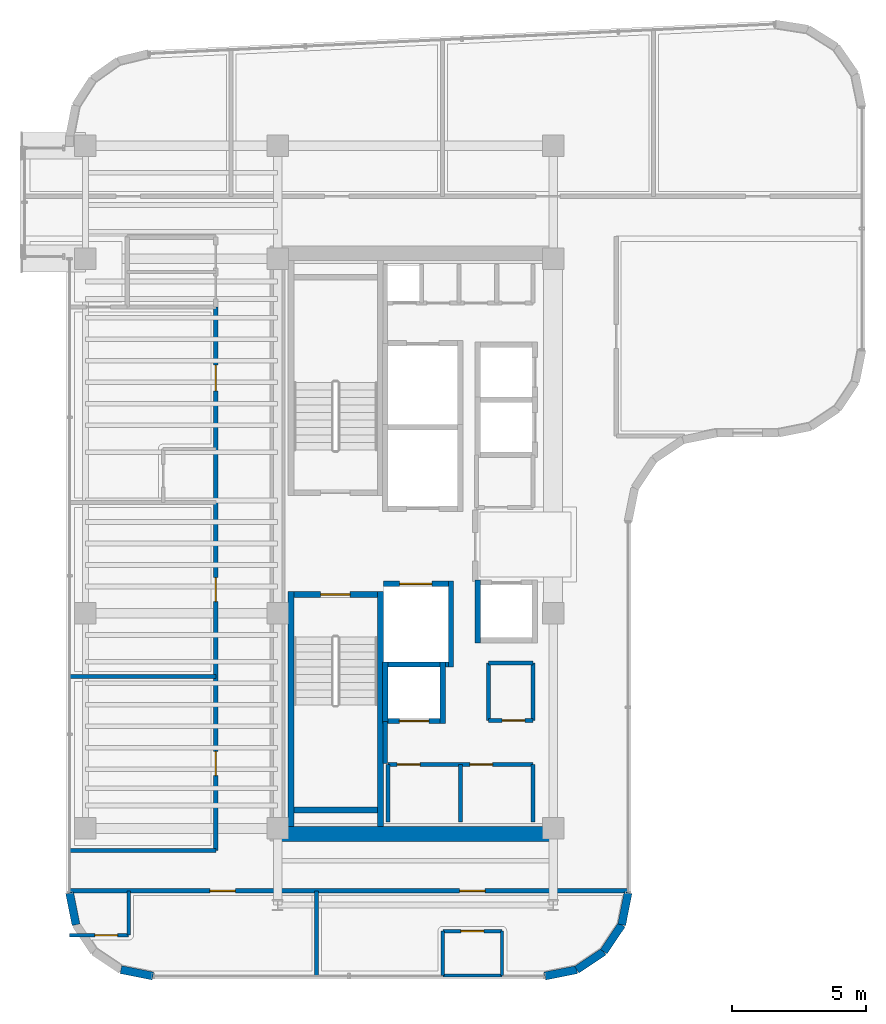
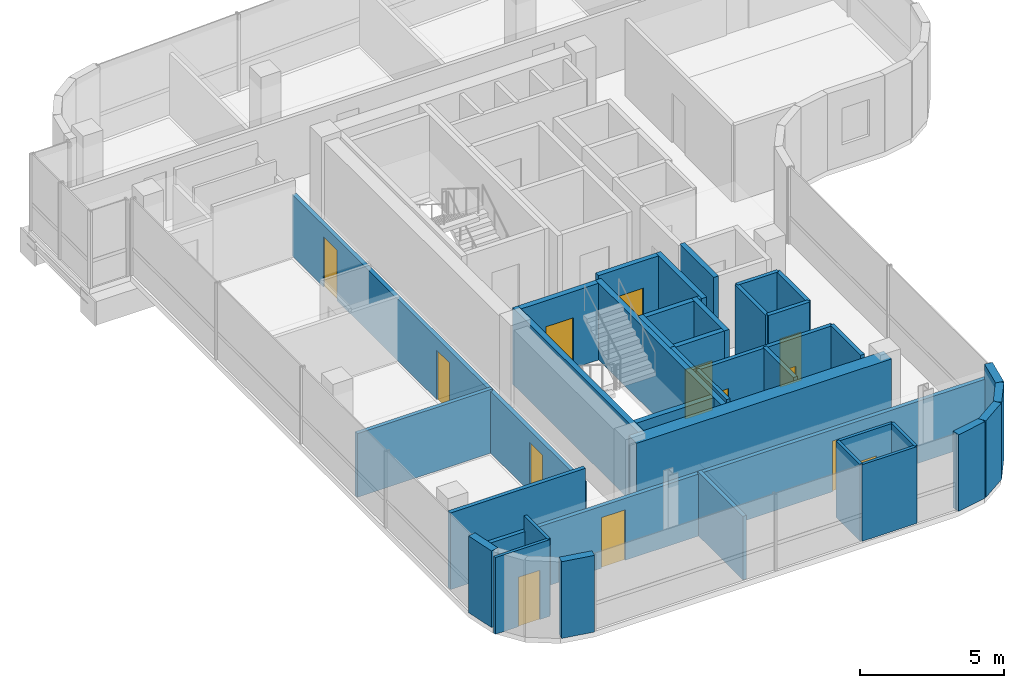
# One storey, part 16 of 21: 38 walls, 13 doors, 13 openings.
"""IFC4 building model written with IfcOpenShell, lengths in metres."""

from ifc_helpers import new_model, si_unit, direction, frame, frame_2d, origin, place, context, subcontext, project, spatial, rectangle, extrude, material, layer, layer_set, type_object, element, fill, save


model = new_model("IFC4")

# Units and contexts
model_context = context("Model", 3, precision=1e-05, world=origin(), true_north=direction((0.0, 1.0)))
body_context = subcontext(model_context, "Body", "Model", "MODEL_VIEW")
ifc_project = project(units=[si_unit("LENGTHUNIT", "METRE"), si_unit("AREAUNIT", "SQUARE_METRE"), si_unit("VOLUMEUNIT", "CUBIC_METRE"), si_unit("PLANEANGLEUNIT", "RADIAN"), si_unit("MASSUNIT", "GRAM", prefix="KILO")], contexts=[model_context])

# Site, building, storey
site_placement = place(None, origin())
site = spatial("IfcSite", under=ifc_project, at=site_placement, CompositionType="ELEMENT")
building_placement = place(site_placement, origin())
building = spatial("IfcBuilding", under=site, at=building_placement, Name="Valdorenza Pilgrim Sanctuary Tower", CompositionType="ELEMENT")
storey_placement = place(building_placement, frame((0.0, 0.0, 258.0)))
storey = spatial("IfcBuildingStorey", under=building, at=storey_placement, Name="L67", CompositionType="ELEMENT", Elevation=258.0)

# Wall
ifc_material_1 = material(Name="Acoustic twin-stud gypsum partition", Category="gypsum")
ifc_layer_1 = layer(ifc_material_1, 0.159912109375, Name="Acoustic twin-stud gypsum partition")
ifc_layer_set_1 = layer_set([ifc_layer_1], Name="Acoustic twin-stud gypsum partition")
wall_type_1 = type_object("IfcWallType", Name="WAL-COR-160", PredefinedType="PARTITIONING", material=ifc_layer_set_1)
wall_1_placement = place(storey_placement, frame((-18.64990234375, -8.179931640625, 0.0), z_axis=(0.0, 0.0, 1.0), x_axis=(0.0, 1.0, 0.0)))
element("IfcWall", 1, at=wall_1_placement, inside=storey, type_object=wall_type_1, Name="L67 Core A South Lift Hall West Wall", PredefinedType="PARTITIONING", context=body_context, shape_type="SweptSolid", body=[
    extrude(rectangle(XDim=1.559814453125, YDim=0.159912109375, at=frame_2d((0.77978515625, 0.0))), origin(), (0.0, 0.0, 1.0), 3.260009765625),
])

# Wall, openings, doors
wall_2_placement = place(storey_placement, frame((-18.550048828125, -8.219970703125, 0.0), z_axis=(0.0, 0.0, 1.0), x_axis=(1.0, 0.0, 0.0)))
wall_2 = element("IfcWall", 2, at=wall_2_placement, inside=storey, type_object=wall_type_1, Name="L67 Freed Shaft 1 North Wall", PredefinedType="PARTITIONING", context=body_context, shape_type="SweptSolid", body=[
    extrude(rectangle(XDim=5.400146484375, YDim=0.159912109375, at=frame_2d((2.7001953125, 0.0))), origin(), (0.0, 0.0, 1.0), 3.260009765625),
])
opening_1_placement = place(wall_2_placement, frame((0.35009765625, 0.0, 0.0)))
opening_1 = element("IfcOpeningElement", 3, at=opening_1_placement, cuts=wall_2, Name="Opening DR-RS1", PredefinedType="OPENING", context=body_context, shape_type="SweptSolid", body=[
    extrude(rectangle(XDim=0.85009765625, YDim=2.050048828125, at=frame_2d((0.425048828125, 1.02490234375))), frame((0.0, 0.0947265625, 0.0), z_axis=(0.0, -1.0, 0.0), x_axis=(1.0, 0.0, 0.0)), (0.0, 0.0, 1.0), 0.189697265625),
])
opening_2_placement = place(wall_2_placement, frame((3.050048828125, 0.0, 0.0)))
opening_2 = element("IfcOpeningElement", 4, at=opening_2_placement, cuts=wall_2, Name="Opening DR-RS1", PredefinedType="OPENING", context=body_context, shape_type="SweptSolid", body=[
    extrude(rectangle(XDim=0.85009765625, YDim=2.050048828125, at=frame_2d((0.425048828125, 1.02490234375))), frame((0.0, 0.0947265625, 0.0), z_axis=(0.0, -1.0, 0.0), x_axis=(1.0, 0.0, 0.0)), (0.0, 0.0, 1.0), 0.189697265625),
])
ifc_material_2 = material(Name="Painted galvanized steel", Category="steel")
door_type_1 = type_object("IfcDoorType", Name="DR-RSR-850", OperationType="NOTDEFINED", PredefinedType="DOOR", material=ifc_material_2)
door_1_placement = place(opening_1_placement, origin())
door_1 = element("IfcDoor", 5, at=door_1_placement, inside=storey, type_object=door_type_1, Name="L67 Linen Store Door", OperationType="SINGLE_SWING_LEFT", OverallHeight=2.050048828125, OverallWidth=0.85009765625, PredefinedType="DOOR", context=body_context, shape_type="SweptSolid", body=[
    extrude(rectangle(XDim=0.85009765625, YDim=2.050048828125, at=frame_2d((0.425048828125, 1.02490234375))), frame((0.0, 0.02490234375, 0.0), z_axis=(0.0, -1.0, 0.0), x_axis=(1.0, 0.0, 0.0)), (0.0, 0.0, 1.0), 0.050048828125),
])
fill(opening_1, door_1)
door_2_placement = place(opening_2_placement, origin())
door_2 = element("IfcDoor", 6, at=door_2_placement, inside=storey, type_object=door_type_1, Name="L67 Cot Store Door", OperationType="SINGLE_SWING_RIGHT", OverallHeight=2.050048828125, OverallWidth=0.85009765625, PredefinedType="DOOR", context=body_context, shape_type="SweptSolid", body=[
    extrude(rectangle(XDim=0.85009765625, YDim=2.050048828125, at=frame_2d((0.425048828125, 1.02490234375))), frame((0.0, 0.02490234375, 0.0), z_axis=(0.0, -1.0, 0.0), x_axis=(1.0, 0.0, 0.0)), (0.0, 0.0, 1.0), 0.050048828125),
])
fill(opening_2, door_2)

# Walls
for number, where, z_axis, x_axis, name in (
    (7, (-13.14990234375, -10.35009765625, 0.0), (0.0, 0.0, 1.0), (0.0, 1.0, 0.0), "L67 Freed Shaft 1 East Wall"),
    (8, (-15.85009765625, -10.35009765625, 0.0), (0.0, 0.0, 1.0), (0.0, 1.0, 0.0), "L67 Freed Shaft 1 Split Wall"),
):
    element("IfcWall", number, at=place(storey_placement, frame(where, z_axis=z_axis, x_axis=x_axis)), inside=storey, type_object=wall_type_1, Name=name, PredefinedType="PARTITIONING", context=body_context, shape_type="SweptSolid", body=[
        extrude(rectangle(XDim=2.130126953125, YDim=0.159912109375, at=frame_2d((1.06494140625, 0.0))), origin(), (0.0, 0.0, 1.0), 3.260009765625),
    ])

# Wall, opening, door
wall_3_placement = place(storey_placement, frame((-14.800048828125, -6.580078125, 0.0), z_axis=(0.0, 0.0, 1.0), x_axis=(1.0, 0.0, 0.0)))
wall_3 = element("IfcWall", 9, at=wall_3_placement, inside=storey, type_object=wall_type_1, Name="L67 Freed Shaft 2 South Wall", PredefinedType="PARTITIONING", context=body_context, shape_type="SweptSolid", body=[
    extrude(rectangle(XDim=1.650146484375, YDim=0.159912109375, at=frame_2d((0.8251953125, 0.0))), origin(), (0.0, 0.0, 1.0), 3.260009765625),
])
opening_3_placement = place(wall_3_placement, frame((0.5, 0.0, 0.0)))
opening_3 = element("IfcOpeningElement", 10, at=opening_3_placement, cuts=wall_3, Name="Opening DR-RS1", PredefinedType="OPENING", context=body_context, shape_type="SweptSolid", body=[
    extrude(rectangle(XDim=0.85009765625, YDim=2.050048828125, at=frame_2d((0.425048828125, 1.02490234375))), frame((0.0, 0.0947265625, 0.0), z_axis=(0.0, -1.0, 0.0), x_axis=(1.0, 0.0, 0.0)), (0.0, 0.0, 1.0), 0.189697265625),
])
door_3_placement = place(opening_3_placement, origin())
door_3 = element("IfcDoor", 11, at=door_3_placement, inside=storey, type_object=door_type_1, Name="L67 Guest Tea Pantry Door", OperationType="SINGLE_SWING_LEFT", OverallHeight=2.050048828125, OverallWidth=0.85009765625, PredefinedType="DOOR", context=body_context, shape_type="SweptSolid", body=[
    extrude(rectangle(XDim=0.85009765625, YDim=2.050048828125, at=frame_2d((0.425048828125, 1.02490234375))), frame((0.0, 0.02490234375, 0.0), z_axis=(0.0, -1.0, 0.0), x_axis=(1.0, 0.0, 0.0)), (0.0, 0.0, 1.0), 0.050048828125),
])
fill(opening_3, door_3)

# Wall
wall_4_placement = place(storey_placement, frame((-13.14990234375, -6.580078125, 0.0), z_axis=(0.0, 0.0, 1.0), x_axis=(0.0, 1.0, 0.0)))
element("IfcWall", 12, at=wall_4_placement, inside=storey, type_object=wall_type_1, Name="L67 Freed Shaft 2 East Wall", PredefinedType="PARTITIONING", context=body_context, shape_type="SweptSolid", body=[
    extrude(rectangle(XDim=2.130126953125, YDim=0.159912109375, at=frame_2d((1.06494140625, 0.0))), origin(), (0.0, 0.0, 1.0), 3.260009765625),
])

# Wall, openings, doors
wall_5_placement = place(storey_placement, frame((-24.949951171875, -11.419921875, 0.0), z_axis=(0.0, 0.0, 1.0), x_axis=(0.0, 1.0, 0.0)))
wall_5 = element("IfcWall", 13, at=wall_5_placement, inside=storey, type_object=wall_type_1, Name="L67 West Wing Corridor Wall", PredefinedType="PARTITIONING", context=body_context, shape_type="SweptSolid", body=[
    extrude(rectangle(XDim=20.219970703125, YDim=0.159912109375, at=frame_2d((10.10986328125, 0.0))), origin(), (0.0, 0.0, 1.0), 2.623046875),
])
opening_4_placement = place(wall_5_placement, frame((2.784912109375, 0.0, 0.0)))
opening_4 = element("IfcOpeningElement", 14, at=opening_4_placement, cuts=wall_5, Name="Opening DR-RM1", PredefinedType="OPENING", context=body_context, shape_type="SweptSolid", body=[
    extrude(rectangle(XDim=0.89990234375, YDim=2.10009765625, at=frame_2d((0.449951171875, 1.050048828125))), frame((0.0, 0.0947265625, 0.0), z_axis=(0.0, -1.0, 0.0), x_axis=(1.0, 0.0, 0.0)), (0.0, 0.0, 1.0), 0.189697265625),
])
opening_5_placement = place(wall_5_placement, frame((9.256103515625, 0.0, 0.0)))
opening_5 = element("IfcOpeningElement", 15, at=opening_5_placement, cuts=wall_5, Name="Opening DR-RM1", PredefinedType="OPENING", context=body_context, shape_type="SweptSolid", body=[
    extrude(rectangle(XDim=0.89990234375, YDim=2.10009765625, at=frame_2d((0.449951171875, 1.050048828125))), frame((0.0, 0.0947265625, 0.0), z_axis=(0.0, -1.0, 0.0), x_axis=(1.0, 0.0, 0.0)), (0.0, 0.0, 1.0), 0.189697265625),
])
opening_6_placement = place(wall_5_placement, frame((17.10498046875, 0.0, 0.0)))
opening_6 = element("IfcOpeningElement", 16, at=opening_6_placement, cuts=wall_5, Name="Opening DR-UN1", PredefinedType="OPENING", context=body_context, shape_type="SweptSolid", body=[
    extrude(rectangle(XDim=0.949951171875, YDim=2.14990234375, at=frame_2d((0.47509765625, 1.074951171875))), frame((0.0, 0.0947265625, 0.0), z_axis=(0.0, -1.0, 0.0), x_axis=(1.0, 0.0, 0.0)), (0.0, 0.0, 1.0), 0.189697265625),
])
ifc_material_3 = material(Name="Solid-core European oak timber", Category="wood")
door_type_2 = type_object("IfcDoorType", Name="DR-ROOM-900", OperationType="NOTDEFINED", PredefinedType="DOOR", material=ifc_material_3)
door_4_placement = place(opening_4_placement, origin())
door_4 = element("IfcDoor", 17, at=door_4_placement, inside=storey, type_object=door_type_2, Name="L67 Pilgrim Scholar Office L67-H1 Door", OperationType="SINGLE_SWING_RIGHT", OverallHeight=2.10009765625, OverallWidth=0.89990234375, PredefinedType="DOOR", context=body_context, shape_type="SweptSolid", body=[
    extrude(rectangle(XDim=0.89990234375, YDim=2.10009765625, at=frame_2d((0.449951171875, 1.050048828125))), frame((0.0, 0.02490234375, 0.0), z_axis=(0.0, -1.0, 0.0), x_axis=(1.0, 0.0, 0.0)), (0.0, 0.0, 1.0), 0.050048828125),
])
fill(opening_4, door_4)
door_5_placement = place(opening_5_placement, frame((0.89990234375, 0.0, 0.0), z_axis=(0.0, 0.0, 1.0), x_axis=(-1.0, 0.0, 0.0)))
door_5 = element("IfcDoor", 18, at=door_5_placement, inside=storey, type_object=door_type_2, Name="L67 Pilgrim Scholar Office L67-H2 Door", OperationType="SINGLE_SWING_LEFT", OverallHeight=2.10009765625, OverallWidth=0.89990234375, PredefinedType="DOOR", context=body_context, shape_type="SweptSolid", body=[
    extrude(rectangle(XDim=0.89990234375, YDim=2.10009765625, at=frame_2d((0.449951171875, 1.050048828125))), frame((0.0, 0.02490234375, 0.0), z_axis=(0.0, -1.0, 0.0), x_axis=(1.0, 0.0, 0.0)), (0.0, 0.0, 1.0), 0.050048828125),
])
fill(opening_5, door_5)
door_type_3 = type_object("IfcDoorType", Name="DR-UNIT-950", OperationType="NOTDEFINED", PredefinedType="DOOR", material=ifc_material_3)
door_6_placement = place(opening_6_placement, origin())
door_6 = element("IfcDoor", 19, at=door_6_placement, inside=storey, type_object=door_type_3, Name="L67 Sanctuary Guest Room L67-HW1 Entrance Door", OperationType="SINGLE_SWING_RIGHT", OverallHeight=2.14990234375, OverallWidth=0.949951171875, PredefinedType="DOOR", context=body_context, shape_type="SweptSolid", body=[
    extrude(rectangle(XDim=0.949951171875, YDim=2.14990234375, at=frame_2d((0.47509765625, 1.074951171875))), frame((0.0, 0.02490234375, 0.0), z_axis=(0.0, -1.0, 0.0), x_axis=(1.0, 0.0, 0.0)), (0.0, 0.0, 1.0), 0.050048828125),
])
fill(opening_6, door_6)

wall_6_placement = place(storey_placement, frame((-30.389892578125, -12.919921875, 0.0), z_axis=(0.0, 0.0, 1.0), x_axis=(1.0, 0.0, 0.0)))
wall_6 = element("IfcWall", 20, at=wall_6_placement, inside=storey, type_object=wall_type_1, Name="L67 South Wing Corridor Wall", PredefinedType="PARTITIONING", context=body_context, shape_type="SweptSolid", body=[
    extrude(rectangle(XDim=20.77978515625, YDim=0.159912109375, at=frame_2d((10.389892578125, 0.0))), origin(), (0.0, 0.0, 1.0), 2.634033203125),
])
opening_7_placement = place(wall_6_placement, frame((5.219970703125, 0.0, 0.0)))
opening_7 = element("IfcOpeningElement", 21, at=opening_7_placement, cuts=wall_6, Name="Opening DR-UN1", PredefinedType="OPENING", context=body_context, shape_type="SweptSolid", body=[
    extrude(rectangle(XDim=0.949951171875, YDim=2.14990234375, at=frame_2d((0.47509765625, 1.074951171875))), frame((0.0, 0.0947265625, 0.0), z_axis=(0.0, -1.0, 0.0), x_axis=(1.0, 0.0, 0.0)), (0.0, 0.0, 1.0), 0.189697265625),
])
opening_8_placement = place(wall_6_placement, frame((14.510009765625, 0.0, 0.0)))
opening_8 = element("IfcOpeningElement", 22, at=opening_8_placement, cuts=wall_6, Name="Opening DR-UN1", PredefinedType="OPENING", context=body_context, shape_type="SweptSolid", body=[
    extrude(rectangle(XDim=0.949951171875, YDim=2.14990234375, at=frame_2d((0.47509765625, 1.074951171875))), frame((0.0, 0.0947265625, 0.0), z_axis=(0.0, -1.0, 0.0), x_axis=(1.0, 0.0, 0.0)), (0.0, 0.0, 1.0), 0.189697265625),
])
door_7_placement = place(opening_7_placement, origin())
door_7 = element("IfcDoor", 23, at=door_7_placement, inside=storey, type_object=door_type_3, Name="L67 South Guest Room L67-S1 Entrance Door", OperationType="SINGLE_SWING_RIGHT", OverallHeight=2.14990234375, OverallWidth=0.949951171875, PredefinedType="DOOR", context=body_context, shape_type="SweptSolid", body=[
    extrude(rectangle(XDim=0.949951171875, YDim=2.14990234375, at=frame_2d((0.47509765625, 1.074951171875))), frame((0.0, 0.02490234375, 0.0), z_axis=(0.0, -1.0, 0.0), x_axis=(1.0, 0.0, 0.0)), (0.0, 0.0, 1.0), 0.050048828125),
])
fill(opening_7, door_7)
door_8_placement = place(opening_8_placement, origin())
door_8 = element("IfcDoor", 24, at=door_8_placement, inside=storey, type_object=door_type_3, Name="L67 South Guest Room L67-S2 Entrance Door", OperationType="SINGLE_SWING_RIGHT", OverallHeight=2.14990234375, OverallWidth=0.949951171875, PredefinedType="DOOR", context=body_context, shape_type="SweptSolid", body=[
    extrude(rectangle(XDim=0.949951171875, YDim=2.14990234375, at=frame_2d((0.47509765625, 1.074951171875))), frame((0.0, 0.02490234375, 0.0), z_axis=(0.0, -1.0, 0.0), x_axis=(1.0, 0.0, 0.0)), (0.0, 0.0, 1.0), 0.050048828125),
])
fill(opening_8, door_8)

# Walls
wall_7_placement = place(storey_placement, frame((-30.389892578125, -11.419921875, 0.0), z_axis=(0.0, 0.0, 1.0), x_axis=(1.0, 0.0, 0.0)))
element("IfcWall", 25, at=wall_7_placement, inside=storey, type_object=wall_type_1, Name="L67 South-West Corridor North Wall", PredefinedType="PARTITIONING", context=body_context, shape_type="SweptSolid", body=[
    extrude(rectangle(XDim=5.43994140625, YDim=0.159912109375, at=frame_2d((2.719970703125, 0.0))), origin(), (0.0, 0.0, 1.0), 3.260009765625),
])
ifc_material_4 = material(Name="Concrete C50/60", Category="concrete")
ifc_layer_2 = layer(ifc_material_4, 0.550048828125, Name="Concrete C50/60")
ifc_layer_set_2 = layer_set([ifc_layer_2], Name="Concrete C50/60")
wall_type_2 = type_object("IfcWallType", Name="WAL-COR-550", PredefinedType="SHEAR", material=ifc_layer_set_2)
wall_8_placement = place(storey_placement, frame((-22.64990234375, -10.800048828125, 0.0), z_axis=(0.0, 0.0, 1.0), x_axis=(1.0, 0.0, 0.0)))
element("IfcWall", 26, at=wall_8_placement, inside=storey, type_object=wall_type_2, Name="L67 Split Core A Shear Wall S", PredefinedType="SHEAR", context=body_context, shape_type="SweptSolid", body=[
    extrude(rectangle(XDim=10.25, YDim=0.550048828125, at=frame_2d((5.125, 0.0))), origin(), (0.0, 0.0, 1.0), 3.260009765625),
])
ifc_material_5 = material(Name="Honed travertine limestone", Category="masonry")
ifc_layer_3 = layer(ifc_material_5, 0.300048828125, Name="Honed travertine limestone")
ifc_layer_set_3 = layer_set([ifc_layer_3], Name="Honed travertine limestone")
wall_type_3 = type_object("IfcWallType", Name="WAL-EXT-300", PredefinedType="SOLIDWALL", material=ifc_layer_set_3)
wall_9_placement = place(storey_placement, frame((-9.610107421875, -12.9892578125, 0.0), z_axis=(0.0, 0.0, 1.0), x_axis=(-0.194996050505, -0.980804027463, 0.0)))
element("IfcWall", 27, at=wall_9_placement, inside=storey, type_object=wall_type_3, Name="L67 Rounded Wind-Corner Stone Pier 22", PredefinedType="SOLIDWALL", context=body_context, shape_type="SweptSolid", body=[
    extrude(rectangle(XDim=1.2158203125, YDim=0.300048828125, at=frame_2d((0.60791015625, 0.0))), origin(), (0.0, 0.0, 1.0), 3.260009765625),
])
for number, where, z_axis, x_axis, name in (
    (28, (-9.84716796875, -14.181640625, 0.0), (0.0, 0.0, 1.0), (-0.555635100982, -0.831426265255, 0.0), "L67 Rounded Wind-Corner Stone Pier 23"),
    (29, (-10.5166015625, -15.183349609375, 0.0), (0.0, 0.0, 1.0), (-0.831426265255, -0.555635100982, 0.0), "L67 Rounded Wind-Corner Stone Pier 24"),
):
    element("IfcWall", number, at=place(storey_placement, frame(where, z_axis=z_axis, x_axis=x_axis)), inside=storey, type_object=wall_type_3, Name=name, PredefinedType="SOLIDWALL", context=body_context, shape_type="SweptSolid", body=[
        extrude(rectangle(XDim=1.204833984375, YDim=0.300048828125, at=frame_2d((0.6025390625, 0.0))), origin(), (0.0, 0.0, 1.0), 3.260009765625),
    ])
for number, where, z_axis, x_axis, name in (
    (30, (-11.518310546875, -15.852783203125, 0.0), (0.0, 0.0, 1.0), (-0.980765602568, -0.195189223115, 0.0), "L67 Rounded Wind-Corner Stone Pier 25"),
    (31, (-27.289306640625, -16.090087890625, 0.0), (0.0, 0.0, 1.0), (-0.980765602568, 0.195189223115, 0.0), "L67 Rounded Wind-Corner Stone Pier 27"),
    (32, (-30.15283203125, -14.181640625, 0.0), (0.0, 0.0, 1.0), (-0.194996050505, 0.980804027463, 0.0), "L67 Rounded Wind-Corner Stone Pier 30"),
):
    element("IfcWall", number, at=place(storey_placement, frame(where, z_axis=z_axis, x_axis=x_axis)), inside=storey, type_object=wall_type_3, Name=name, PredefinedType="SOLIDWALL", context=body_context, shape_type="SweptSolid", body=[
        extrude(rectangle(XDim=1.2158203125, YDim=0.300048828125, at=frame_2d((0.60791015625, 0.0))), origin(), (0.0, 0.0, 1.0), 3.260009765625),
    ])
ifc_material_6 = material(Name="Moisture-resistant gypsum partition", Category="gypsum")
ifc_layer_4 = layer(ifc_material_6, 0.1201171875, Name="Moisture-resistant gypsum partition")
ifc_layer_set_4 = layer_set([ifc_layer_4], Name="Moisture-resistant gypsum partition")
wall_type_4 = type_object("IfcWallType", Name="WAL-INT-120", PredefinedType="PARTITIONING", material=ifc_layer_set_4)
wall_10_placement = place(storey_placement, frame((-28.18994140625, -14.570068359375, 0.0), z_axis=(0.0, 0.0, 1.0), x_axis=(0.0, 1.0, 0.0)))
element("IfcWall", 33, at=wall_10_placement, inside=storey, type_object=wall_type_4, Name="L67 South Guest Room L67-S1 En-suite East Wall", PredefinedType="PARTITIONING", context=body_context, shape_type="SweptSolid", body=[
    extrude(rectangle(XDim=1.650146484375, YDim=0.1201171875, at=frame_2d((0.8251953125, 0.0))), origin(), (0.0, 0.0, 1.0), 3.260009765625),
])

# Wall, opening, door
wall_11_placement = place(storey_placement, frame((-30.389892578125, -14.570068359375, 0.0), z_axis=(0.0, 0.0, 1.0), x_axis=(1.0, 0.0, 0.0)))
wall_11 = element("IfcWall", 34, at=wall_11_placement, inside=storey, type_object=wall_type_4, Name="L67 South Guest Room L67-S1 En-suite Door Wall", PredefinedType="PARTITIONING", context=body_context, shape_type="SweptSolid", body=[
    extrude(rectangle(XDim=2.199951171875, YDim=0.1201171875, at=frame_2d((1.10009765625, 0.0))), origin(), (0.0, 0.0, 1.0), 3.260009765625),
])
opening_9_placement = place(wall_11_placement, frame((0.93994140625, 0.0, 0.0)))
opening_9 = element("IfcOpeningElement", 35, at=opening_9_placement, cuts=wall_11, Name="Opening DR-WC1", PredefinedType="OPENING", context=body_context, shape_type="SweptSolid", body=[
    extrude(rectangle(XDim=0.85009765625, YDim=2.10009765625, at=frame_2d((0.425048828125, 1.050048828125))), frame((0.0, 0.074951171875, 0.0), z_axis=(0.0, -1.0, 0.0), x_axis=(1.0, 0.0, 0.0)), (0.0, 0.0, 1.0), 0.14990234375),
])
ifc_material_7 = material(Name="Moisture-resistant lacquered timber", Category="wood")
door_type_4 = type_object("IfcDoorType", Name="DR-BATH-850", OperationType="NOTDEFINED", PredefinedType="DOOR", material=ifc_material_7)
door_9_placement = place(opening_9_placement, origin())
door_9 = element("IfcDoor", 36, at=door_9_placement, inside=storey, type_object=door_type_4, Name="L67 South Guest Room L67-S1 En-suite Bathroom Door", OperationType="SINGLE_SWING_LEFT", OverallHeight=2.10009765625, OverallWidth=0.85009765625, PredefinedType="DOOR", context=body_context, shape_type="SweptSolid", body=[
    extrude(rectangle(XDim=0.85009765625, YDim=2.10009765625, at=frame_2d((0.425048828125, 1.050048828125))), frame((0.0, 0.02490234375, 0.0), z_axis=(0.0, -1.0, 0.0), x_axis=(1.0, 0.0, 0.0)), (0.0, 0.0, 1.0), 0.050048828125),
])
fill(opening_9, door_9)

# Walls
for number, where, z_axis, x_axis, name in (
    (37, (-16.5048828125, -16.070068359375, 0.0), (0.0, 0.0, 1.0), (0.0, 1.0, 0.0), "L67 South Guest Room L67-S2 En-suite West Wall"),
    (38, (-14.304931640625, -16.070068359375, 0.0), (0.0, 0.0, 1.0), (0.0, 1.0, 0.0), "L67 South Guest Room L67-S2 En-suite East Wall"),
):
    element("IfcWall", number, at=place(storey_placement, frame(where, z_axis=z_axis, x_axis=x_axis)), inside=storey, type_object=wall_type_4, Name=name, PredefinedType="PARTITIONING", context=body_context, shape_type="SweptSolid", body=[
        extrude(rectangle(XDim=1.650146484375, YDim=0.1201171875, at=frame_2d((0.8251953125, 0.0))), origin(), (0.0, 0.0, 1.0), 3.260009765625),
    ])
wall_12_placement = place(storey_placement, frame((-16.5048828125, -16.070068359375, 0.0), z_axis=(0.0, 0.0, 1.0), x_axis=(1.0, 0.0, 0.0)))
element("IfcWall", 39, at=wall_12_placement, inside=storey, type_object=wall_type_4, Name="L67 South Guest Room L67-S2 En-suite Back Wall", PredefinedType="PARTITIONING", context=body_context, shape_type="SweptSolid", body=[
    extrude(rectangle(XDim=2.199951171875, YDim=0.1201171875, at=frame_2d((1.10009765625, 0.0))), origin(), (0.0, 0.0, 1.0), 3.260009765625),
])

# Wall, opening, door
wall_13_placement = place(storey_placement, frame((-16.5048828125, -14.419921875, 0.0), z_axis=(0.0, 0.0, 1.0), x_axis=(1.0, 0.0, 0.0)))
wall_13 = element("IfcWall", 40, at=wall_13_placement, inside=storey, type_object=wall_type_4, Name="L67 South Guest Room L67-S2 En-suite Door Wall", PredefinedType="PARTITIONING", context=body_context, shape_type="SweptSolid", body=[
    extrude(rectangle(XDim=2.199951171875, YDim=0.1201171875, at=frame_2d((1.10009765625, 0.0))), origin(), (0.0, 0.0, 1.0), 3.260009765625),
])
opening_10_placement = place(wall_13_placement, frame((0.675048828125, 0.0, 0.0)))
opening_10 = element("IfcOpeningElement", 41, at=opening_10_placement, cuts=wall_13, Name="Opening DR-WC1", PredefinedType="OPENING", context=body_context, shape_type="SweptSolid", body=[
    extrude(rectangle(XDim=0.85009765625, YDim=2.10009765625, at=frame_2d((0.425048828125, 1.050048828125))), frame((0.0, 0.074951171875, 0.0), z_axis=(0.0, -1.0, 0.0), x_axis=(1.0, 0.0, 0.0)), (0.0, 0.0, 1.0), 0.14990234375),
])
door_10_placement = place(opening_10_placement, origin())
door_10 = element("IfcDoor", 42, at=door_10_placement, inside=storey, type_object=door_type_4, Name="L67 South Guest Room L67-S2 En-suite Bathroom Door", OperationType="SINGLE_SWING_LEFT", OverallHeight=2.10009765625, OverallWidth=0.85009765625, PredefinedType="DOOR", context=body_context, shape_type="SweptSolid", body=[
    extrude(rectangle(XDim=0.85009765625, YDim=2.10009765625, at=frame_2d((0.425048828125, 1.050048828125))), frame((0.0, 0.02490234375, 0.0), z_axis=(0.0, -1.0, 0.0), x_axis=(1.0, 0.0, 0.0)), (0.0, 0.0, 1.0), 0.050048828125),
])
fill(opening_10, door_10)

# Walls
ifc_material_8 = material(Name="Autoclaved aerated concrete blockwork", Category="masonry")
ifc_layer_5 = layer(ifc_material_8, 0.199951171875, Name="Autoclaved aerated concrete blockwork")
ifc_layer_set_5 = layer_set([ifc_layer_5], Name="Autoclaved aerated concrete blockwork")
wall_type_5 = type_object("IfcWallType", Name="WAL-SHF-200", PredefinedType="MOVABLE", material=ifc_layer_set_5)
wall_14_placement = place(storey_placement, frame((-16.199951171875, -4.60009765625, 0.0), z_axis=(0.0, 0.0, 1.0), x_axis=(0.0, 1.0, 0.0)))
element("IfcWall", 43, at=wall_14_placement, inside=storey, type_object=wall_type_5, Name="L67 Lift FFL-02 Hoistway Wall East", PredefinedType="MOVABLE", context=body_context, shape_type="SweptSolid", body=[
    extrude(rectangle(XDim=3.2001953125, YDim=0.199951171875, at=frame_2d((1.60009765625, 0.0))), origin(), (0.0, 0.0, 1.0), 3.260009765625),
])
wall_15_placement = place(storey_placement, frame((-18.719970703125, -4.5, 0.0), z_axis=(0.0, 0.0, 1.0), x_axis=(1.0, 0.0, 0.0)))
element("IfcWall", 44, at=wall_15_placement, inside=storey, type_object=wall_type_5, Name="L67 Lift FFL-02 Hoistway Wall South", PredefinedType="MOVABLE", context=body_context, shape_type="SweptSolid", body=[
    extrude(rectangle(XDim=2.419921875, YDim=0.199951171875, at=frame_2d((1.2099609375, 0.0))), origin(), (0.0, 0.0, 1.0), 3.260009765625),
])

# Wall, opening, door
wall_16_placement = place(storey_placement, frame((-18.719970703125, -1.5, 0.0), z_axis=(0.0, 0.0, 1.0), x_axis=(1.0, 0.0, 0.0)))
wall_16 = element("IfcWall", 45, at=wall_16_placement, inside=storey, type_object=wall_type_5, Name="L67 Lift FFL-02 Hoistway Wall North", PredefinedType="MOVABLE", context=body_context, shape_type="SweptSolid", body=[
    extrude(rectangle(XDim=2.419921875, YDim=0.199951171875, at=frame_2d((1.2099609375, 0.0))), origin(), (0.0, 0.0, 1.0), 3.260009765625),
])
opening_11_placement = place(wall_16_placement, frame((0.610107421875, 0.0, 0.0)))
opening_11 = element("IfcOpeningElement", 46, at=opening_11_placement, cuts=wall_16, Name="Opening LD-02", PredefinedType="OPENING", context=body_context, shape_type="SweptSolid", body=[
    extrude(rectangle(XDim=1.199951171875, YDim=2.10009765625, at=frame_2d((0.60009765625, 1.050048828125))), frame((0.0, 0.11474609375, 0.0), z_axis=(0.0, -1.0, 0.0), x_axis=(1.0, 0.0, 0.0)), (0.0, 0.0, 1.0), 0.229736328125),
])
ifc_material_9 = material(Name="Brushed stainless steel Grade 316", Category="steel")
door_type_5 = type_object("IfcDoorType", Name="DR-LFT-1200", OperationType="DOUBLE_DOOR_SLIDING", PredefinedType="DOOR", material=ifc_material_9)
door_11_placement = place(opening_11_placement, origin())
door_11 = element("IfcDoor", 47, at=door_11_placement, inside=storey, type_object=door_type_5, Name="L67 Lift FFL-02 Sliding Landing Door", OperationType="DOUBLE_DOOR_SLIDING", OverallHeight=2.10009765625, OverallWidth=1.199951171875, PredefinedType="DOOR", context=body_context, shape_type="SweptSolid", body=[
    extrude(rectangle(XDim=1.199951171875, YDim=2.10009765625, at=frame_2d((0.60009765625, 1.050048828125))), frame((0.0, 0.02490234375, 0.0), z_axis=(0.0, -1.0, 0.0), x_axis=(1.0, 0.0, 0.0)), (0.0, 0.0, 1.0), 0.050048828125),
])
fill(opening_11, door_11)

# Walls
for number, where, z_axis, x_axis, name in (
    (48, (-18.64990234375, -6.699951171875, 0.0), (0.0, 0.0, 1.0), (0.0, 1.0, 0.0), "L67 Lift PL-11 Hoistway Wall West"),
    (49, (-16.5, -6.699951171875, 0.0), (0.0, 0.0, 1.0), (0.0, 1.0, 0.0), "L67 Lift PL-11 Hoistway Wall East"),
):
    element("IfcWall", number, at=place(storey_placement, frame(where, z_axis=z_axis, x_axis=x_axis)), inside=storey, type_object=wall_type_5, Name=name, PredefinedType="MOVABLE", context=body_context, shape_type="SweptSolid", body=[
        extrude(rectangle(XDim=2.300048828125, YDim=0.199951171875, at=frame_2d((1.14990234375, 0.0))), origin(), (0.0, 0.0, 1.0), 3.260009765625),
    ])

# Wall, opening, door
wall_17_placement = place(storey_placement, frame((-18.550048828125, -6.60009765625, 0.0), z_axis=(0.0, 0.0, 1.0), x_axis=(1.0, 0.0, 0.0)))
wall_17 = element("IfcWall", 50, at=wall_17_placement, inside=storey, type_object=wall_type_5, Name="L67 Lift PL-11 Hoistway Wall South", PredefinedType="MOVABLE", context=body_context, shape_type="SweptSolid", body=[
    extrude(rectangle(XDim=1.949951171875, YDim=0.199951171875, at=frame_2d((0.97509765625, 0.0))), origin(), (0.0, 0.0, 1.0), 3.260009765625),
])
opening_12_placement = place(wall_17_placement, frame((0.425048828125, 0.0, 0.0)))
opening_12 = element("IfcOpeningElement", 51, at=opening_12_placement, cuts=wall_17, Name="Opening LD-01", PredefinedType="OPENING", context=body_context, shape_type="SweptSolid", body=[
    extrude(rectangle(XDim=1.10009765625, YDim=2.10009765625, at=frame_2d((0.550048828125, 1.050048828125))), frame((0.0, 0.11474609375, 0.0), z_axis=(0.0, -1.0, 0.0), x_axis=(1.0, 0.0, 0.0)), (0.0, 0.0, 1.0), 0.229736328125),
])
door_type_6 = type_object("IfcDoorType", Name="DR-LFT-1100", OperationType="DOUBLE_DOOR_SLIDING", PredefinedType="DOOR", material=ifc_material_9)
door_12_placement = place(opening_12_placement, origin())
door_12 = element("IfcDoor", 52, at=door_12_placement, inside=storey, type_object=door_type_6, Name="L67 Lift PL-11 Sliding Landing Door", OperationType="DOUBLE_DOOR_SLIDING", OverallHeight=2.10009765625, OverallWidth=1.10009765625, PredefinedType="DOOR", context=body_context, shape_type="SweptSolid", body=[
    extrude(rectangle(XDim=1.10009765625, YDim=2.10009765625, at=frame_2d((0.550048828125, 1.050048828125))), frame((0.0, 0.02490234375, 0.0), z_axis=(0.0, -1.0, 0.0), x_axis=(1.0, 0.0, 0.0)), (0.0, 0.0, 1.0), 0.050048828125),
])
fill(opening_12, door_12)

# Walls
wall_18_placement = place(storey_placement, frame((-15.199951171875, -3.699951171875, 0.0), z_axis=(0.0, 0.0, 1.0), x_axis=(0.0, 1.0, 0.0)))
element("IfcWall", 53, at=wall_18_placement, inside=storey, type_object=wall_type_5, Name="L67 Lift PL-12 Hoistway Wall West", PredefinedType="MOVABLE", context=body_context, shape_type="SweptSolid", body=[
    extrude(rectangle(XDim=2.349853515625, YDim=0.199951171875, at=frame_2d((1.1748046875, 0.0))), origin(), (0.0, 0.0, 1.0), 3.260009765625),
])
ifc_material_10 = material(Name="Concrete C40/50", Category="concrete")
ifc_layer_6 = layer(ifc_material_10, 0.219970703125, Name="Concrete C40/50")
ifc_layer_set_6 = layer_set([ifc_layer_6], Name="Concrete C40/50")
wall_type_6 = type_object("IfcWallType", Name="WAL-STR-SHF-220", PredefinedType="SHEAR", material=ifc_layer_set_6)
for number, where, z_axis, x_axis, name in (
    (54, (-22.159912109375, -10.52490234375, 0.0), (0.0, 0.0, 1.0), (0.0, 1.0, 0.0), "L67 ST-A2 Structural Stairwell Wall W"),
    (55, (-18.830078125, -10.52490234375, 0.0), (0.0, 0.0, 1.0), (0.0, 1.0, 0.0), "L67 ST-A2 Structural Stairwell Wall E"),
):
    element("IfcWall", number, at=place(storey_placement, frame(where, z_axis=z_axis, x_axis=x_axis)), inside=storey, type_object=wall_type_6, Name=name, PredefinedType="SHEAR", context=body_context, shape_type="SweptSolid", body=[
        extrude(rectangle(XDim=8.744873046875, YDim=0.219970703125, at=frame_2d((4.37255859375, 0.0))), origin(), (0.0, 0.0, 1.0), 3.260009765625),
    ])
wall_19_placement = place(storey_placement, frame((-22.050048828125, -9.909912109375, 0.0), z_axis=(0.0, 0.0, 1.0), x_axis=(1.0, 0.0, 0.0)))
element("IfcWall", 56, at=wall_19_placement, inside=storey, type_object=wall_type_6, Name="L67 ST-A2 Structural Stairwell Wall S", PredefinedType="SHEAR", context=body_context, shape_type="SweptSolid", body=[
    extrude(rectangle(XDim=3.110107421875, YDim=0.219970703125, at=frame_2d((1.55517578125, 0.0))), origin(), (0.0, 0.0, 1.0), 3.260009765625),
])

# Wall, opening, door
wall_20_placement = place(storey_placement, frame((-22.050048828125, -1.889892578125, 0.0), z_axis=(0.0, 0.0, 1.0), x_axis=(1.0, 0.0, 0.0)))
wall_20 = element("IfcWall", 57, at=wall_20_placement, inside=storey, type_object=wall_type_6, Name="L67 ST-A2 Structural Stairwell Wall N", PredefinedType="SHEAR", context=body_context, shape_type="SweptSolid", body=[
    extrude(rectangle(XDim=3.110107421875, YDim=0.219970703125, at=frame_2d((1.55517578125, 0.0))), origin(), (0.0, 0.0, 1.0), 3.260009765625),
])
opening_13_placement = place(wall_20_placement, frame((1.0, 0.0, 0.0)))
opening_13 = element("IfcOpeningElement", 58, at=opening_13_placement, cuts=wall_20, Name="Opening DR-ST1", PredefinedType="OPENING", context=body_context, shape_type="SweptSolid", body=[
    extrude(rectangle(XDim=1.10009765625, YDim=2.14990234375, at=frame_2d((0.550048828125, 1.074951171875))), frame((0.0, 0.125, 0.0), z_axis=(0.0, -1.0, 0.0), x_axis=(1.0, 0.0, 0.0)), (0.0, 0.0, 1.0), 0.249755859375),
])
door_type_7 = type_object("IfcDoorType", Name="DR-STAIR-1100", OperationType="NOTDEFINED", PredefinedType="DOOR", material=ifc_material_2)
door_13_placement = place(opening_13_placement, origin())
door_13 = element("IfcDoor", 59, at=door_13_placement, inside=storey, type_object=door_type_7, Name="L67 Exit Stair ST-A2 Door", OperationType="SINGLE_SWING_RIGHT", OverallHeight=2.14990234375, OverallWidth=1.10009765625, PredefinedType="DOOR", context=body_context, shape_type="SweptSolid", body=[
    extrude(rectangle(XDim=1.10009765625, YDim=2.14990234375, at=frame_2d((0.550048828125, 1.074951171875))), frame((0.0, 0.02490234375, 0.0), z_axis=(0.0, -1.0, 0.0), x_axis=(1.0, 0.0, 0.0)), (0.0, 0.0, 1.0), 0.050048828125),
])
fill(opening_13, door_13)

# Walls
ifc_layer_7 = layer(ifc_material_1, 0.14990234375, Name="Acoustic twin-stud gypsum partition")
ifc_layer_set_7 = layer_set([ifc_layer_7], Name="Acoustic twin-stud gypsum partition")
wall_type_7 = type_object("IfcWallType", Name="WAL-UNT-150", PredefinedType="PARTITIONING", material=ifc_layer_set_7)
for number, where, z_axis, x_axis, name in (
    (60, (-18.550048828125, -10.35009765625, 0.0), (0.0, 0.0, 1.0), (0.0, 1.0, 0.0), "L67 Freed Shaft 1 West Wall"),
    (61, (-14.800048828125, -6.580078125, 0.0), (0.0, 0.0, 1.0), (0.0, 1.0, 0.0), "L67 Freed Shaft 2 West Wall"),
):
    element("IfcWall", number, at=place(storey_placement, frame(where, z_axis=z_axis, x_axis=x_axis)), inside=storey, type_object=wall_type_7, Name=name, PredefinedType="PARTITIONING", context=body_context, shape_type="SweptSolid", body=[
        extrude(rectangle(XDim=2.130126953125, YDim=0.14990234375, at=frame_2d((1.06494140625, 0.0))), origin(), (0.0, 0.0, 1.0), 3.260009765625),
    ])
wall_21_placement = place(storey_placement, frame((-14.800048828125, -4.449951171875, 0.0), z_axis=(0.0, 0.0, 1.0), x_axis=(1.0, 0.0, 0.0)))
element("IfcWall", 62, at=wall_21_placement, inside=storey, type_object=wall_type_7, Name="L67 Freed Shaft 2 North Wall", PredefinedType="PARTITIONING", context=body_context, shape_type="SweptSolid", body=[
    extrude(rectangle(XDim=1.650146484375, YDim=0.14990234375, at=frame_2d((0.8251953125, 0.0))), origin(), (0.0, 0.0, 1.0), 3.260009765625),
])
wall_22_placement = place(storey_placement, frame((-30.389892578125, -4.949462890625, 0.0), z_axis=(0.0, 0.0, 1.0), x_axis=(1.0, 0.0, 0.0)))
element("IfcWall", 63, at=wall_22_placement, inside=storey, type_object=wall_type_7, Name="L67 Pilgrim Scholar Office L67-H2 Demising Wall", PredefinedType="PARTITIONING", context=body_context, shape_type="SweptSolid", body=[
    extrude(rectangle(XDim=5.43994140625, YDim=0.14990234375, at=frame_2d((2.719970703125, 0.0))), origin(), (0.0, 0.0, 1.0), 2.7060546875),
])
wall_23_placement = place(storey_placement, frame((-21.199951171875, -16.090087890625, 0.0), z_axis=(0.0, 0.0, 1.0), x_axis=(0.0, 1.0, 0.0)))
element("IfcWall", 64, at=wall_23_placement, inside=storey, type_object=wall_type_7, Name="L67 South Demising 1", PredefinedType="PARTITIONING", context=body_context, shape_type="SweptSolid", body=[
    extrude(rectangle(XDim=3.170166015625, YDim=0.14990234375, at=frame_2d((1.5849609375, 0.0))), origin(), (0.0, 0.0, 1.0), 2.7060546875),
])

save(model, "model.ifc")
